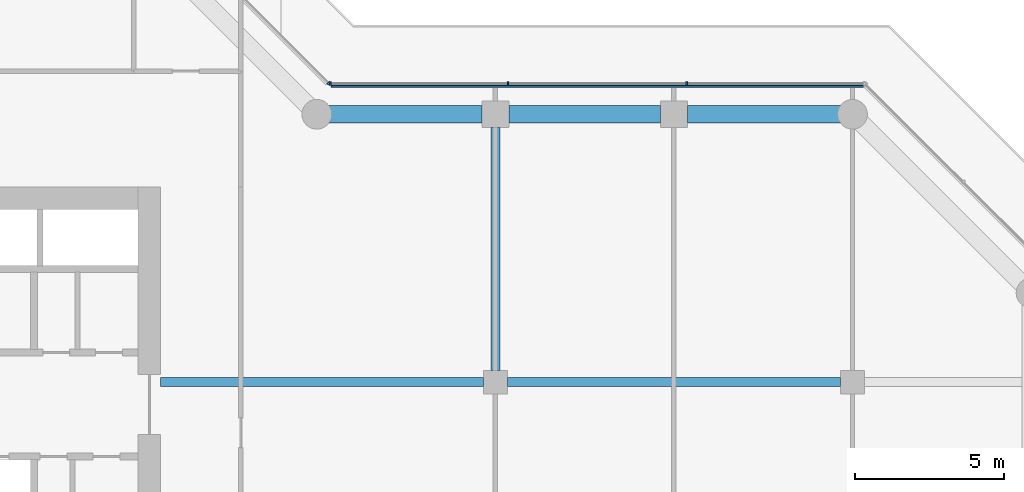
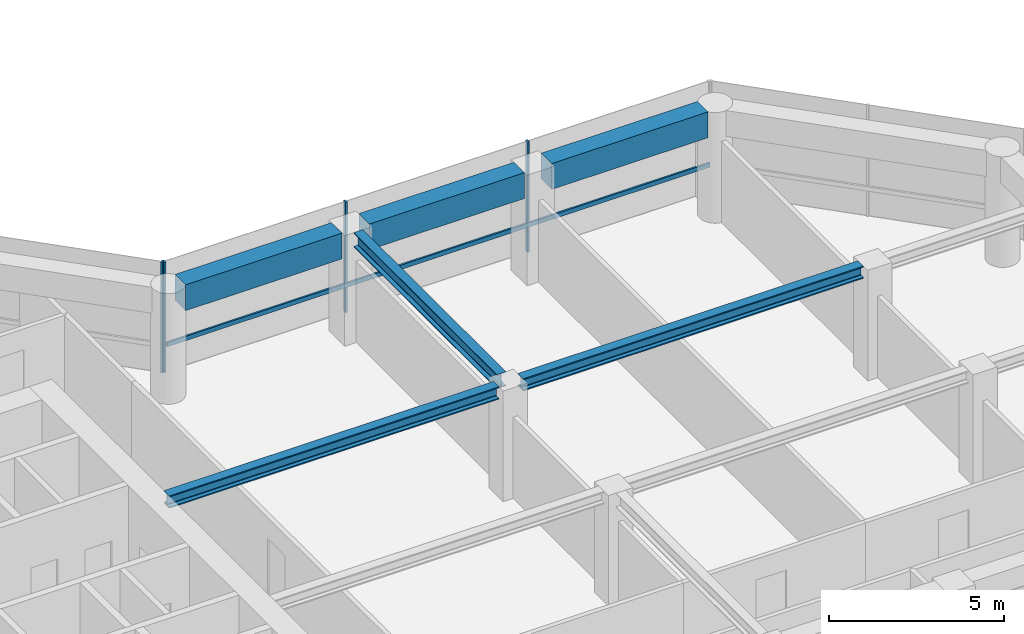
# One storey, part 8 of 23: 6 beams, 5 members, 2 elements without a shape of their own.
"""IFC4 building model written with IfcOpenShell, lengths in metres."""

from ifc_helpers import new_model, si_unit, direction, frame, origin, origin_2d, place, context, subcontext, project, spatial, rectangle, i_section, extrude, material, layer, layer_set, material_profile, profile_set, type_object, element, aggregate, save


model = new_model("IFC4")

# Units and contexts
model_context = context("Model", 3, precision=1e-05, world=origin(), true_north=direction((0.0, 1.0)))
body_context = subcontext(model_context, "Body", "Model", "MODEL_VIEW")
ifc_project = project(units=[si_unit("LENGTHUNIT", "METRE"), si_unit("AREAUNIT", "SQUARE_METRE"), si_unit("VOLUMEUNIT", "CUBIC_METRE"), si_unit("PLANEANGLEUNIT", "RADIAN"), si_unit("MASSUNIT", "GRAM", prefix="KILO")], contexts=[model_context])

# Site, building, storey
site_placement = place(None, origin())
site = spatial("IfcSite", under=ifc_project, at=site_placement, CompositionType="ELEMENT")
building_placement = place(site_placement, origin())
building = spatial("IfcBuilding", under=site, at=building_placement, Name="Welwitschia Terrace Campus", CompositionType="ELEMENT")
storey_placement = place(building_placement, frame((0.0, 0.0, 113.0)))
storey = spatial("IfcBuildingStorey", under=building, at=storey_placement, Name="L25", CompositionType="ELEMENT", Elevation=113.0)

# Beams
ifc_material_1 = material(Name="Steel S355", Category="steel")
ifc_material_profile_1 = material_profile(ifc_material_1, i_section(OverallWidth=0.306884765625, OverallDepth=0.431884765625, WebThickness=0.02099609375, FlangeThickness=0.0400390625, FilletRadius=0.027099609375, at=origin_2d()))
ifc_profile_set_1 = profile_set([ifc_material_profile_1], Name="Steel S355")
beam_type_1 = type_object("IfcBeamType", Name="Interior girder HE 400 M", PredefinedType="BEAM", material=ifc_profile_set_1)
beam_1_placement = place(storey_placement, frame((24.7509765625, 19.0, 3.634033203125), z_axis=(1.0, 0.0, 0.0), x_axis=(0.0, 1.0, 0.0)))
element("IfcBeam", 1, at=beam_1_placement, inside=storey, type_object=beam_type_1, Name="Girder GB3", PredefinedType="BEAM", context=body_context, shape_type="SweptSolid", body=[
    extrude(i_section(OverallWidth=0.306884765625, OverallDepth=0.431884765625, WebThickness=0.02099609375, FlangeThickness=0.0400390625, FilletRadius=0.027099609375, at=origin_2d()), origin(), (0.0, 0.0, 1.0), 10.8486328125),
])
beam_2_placement = place(storey_placement, frame((36.400390625, 19.0, 3.634033203125), z_axis=(1.0, 0.0, 0.0), x_axis=(0.0, 1.0, 0.0)))
element("IfcBeam", 2, at=beam_2_placement, inside=storey, type_object=beam_type_1, Name="Girder GB3", PredefinedType="BEAM", context=body_context, shape_type="SweptSolid", body=[
    extrude(i_section(OverallWidth=0.306884765625, OverallDepth=0.431884765625, WebThickness=0.02099609375, FlangeThickness=0.0400390625, FilletRadius=0.027099609375, at=origin_2d()), origin(), (0.0, 0.0, 1.0), 11.19921875),
])

# Curtain wall, members
ifc_material_2 = material(Name="Bronze anodised aluminium", Category="aluminium")
ifc_layer = layer(ifc_material_2, 0.1201171875)
ifc_layer_set = layer_set([ifc_layer], Name="Bronze anodised aluminium")
curtain_wall_type = type_object("IfcCurtainWallType", Name="Curtain wall CW2 tower 6000", PredefinedType="NOTDEFINED", material=ifc_layer_set)
curtain_wall_1_placement = place(storey_placement, origin())
curtain_wall_1 = element("IfcCurtainWall", 3, at=curtain_wall_1_placement, inside=storey, type_object=curtain_wall_type, Name="CW L25.9.0", PredefinedType="NOTDEFINED")
ifc_material_3 = material(Name="Bronze anodised aluminium", Category="aluminium")
ifc_material_profile_2 = material_profile(ifc_material_3, rectangle(XDim=0.1201171875, YDim=0.06005859375, at=origin_2d()))
ifc_profile_set_2 = profile_set([ifc_material_profile_2], Name="Bronze anodised aluminium")
member_type_1 = type_object("IfcMemberType", Name="Mullion 60x120", PredefinedType="MULLION", material=ifc_profile_set_2)
member_1_placement = place(storey_placement, frame((42.4267578125, 29.030029296875, 0.0), z_axis=(0.0, 0.0, 1.0), x_axis=(0.0, -1.0, 0.0)))
member_1 = element("IfcMember", 4, at=member_1_placement, type_object=member_type_1, Name="Mullion L25.9.0.1", PredefinedType="MULLION", context=body_context, shape_type="SweptSolid", body=[
    extrude(rectangle(XDim=0.1201171875, YDim=0.06005859375, at=origin_2d()), origin(), (0.0, 0.0, 1.0), 3.85009765625),
])
member_2_placement = place(storey_placement, frame((36.4267578125, 29.030029296875, 0.0), z_axis=(0.0, 0.0, 1.0), x_axis=(0.0, -1.0, 0.0)))
member_2 = element("IfcMember", 5, at=member_2_placement, type_object=member_type_1, Name="Mullion L25.9.0.2", PredefinedType="MULLION", context=body_context, shape_type="SweptSolid", body=[
    extrude(rectangle(XDim=0.1201171875, YDim=0.06005859375, at=origin_2d()), origin(), (0.0, 0.0, 1.0), 3.85009765625),
])
member_3_placement = place(storey_placement, frame((30.45654296875, 29.030029296875, 0.0), z_axis=(0.0, 0.0, 1.0), x_axis=(0.0, -1.0, 0.0)))
member_3 = element("IfcMember", 6, at=member_3_placement, type_object=member_type_1, Name="Mullion L25.9.0.3", PredefinedType="MULLION", context=body_context, shape_type="SweptSolid", body=[
    extrude(rectangle(XDim=0.1201171875, YDim=0.06005859375, at=origin_2d()), origin(), (0.0, 0.0, 1.0), 3.85009765625),
])

# Curtain wall, member
curtain_wall_2_placement = place(storey_placement, origin())
curtain_wall_2 = element("IfcCurtainWall", 7, at=curtain_wall_2_placement, inside=storey, type_object=curtain_wall_type, Name="CW L25.10.0", PredefinedType="NOTDEFINED")
member_4_placement = place(storey_placement, frame((30.405517578125, 29.05126953125, 0.0), z_axis=(0.0, 0.0, 1.0), x_axis=(-0.707106781187, -0.707106781187, 0.0)))
member_4 = element("IfcMember", 8, at=member_4_placement, type_object=member_type_1, Name="Mullion L25.10.0.0", PredefinedType="MULLION", context=body_context, shape_type="SweptSolid", body=[
    extrude(rectangle(XDim=0.1201171875, YDim=0.06005859375, at=origin_2d()), origin(), (0.0, 0.0, 1.0), 3.85009765625),
])
aggregate(curtain_wall_2, [member_4])

# Beams
ifc_material_4 = material(Name="Steel S355", Category="steel")
ifc_material_profile_3 = material_profile(ifc_material_4, i_section(OverallWidth=0.300048828125, OverallDepth=0.5, WebThickness=0.014404296875, FlangeThickness=0.028076171875, FilletRadius=0.027099609375, at=origin_2d()))
ifc_profile_set_3 = profile_set([ifc_material_profile_3], Name="Steel S355")
beam_type_2 = type_object("IfcBeamType", Name="Primary beam HE 500 B", PredefinedType="BEAM", material=ifc_profile_set_3)
beam_3_placement = place(storey_placement, frame((36.0, 27.549560546875, 3.60009765625), z_axis=(0.0, -1.0, 0.0), x_axis=(1.0, 0.0, 0.0)))
element("IfcBeam", 9, at=beam_3_placement, inside=storey, type_object=beam_type_2, Name="Primary beam PB3", PredefinedType="BEAM", context=body_context, shape_type="SweptSolid", body=[
    extrude(i_section(OverallWidth=0.300048828125, OverallDepth=0.5, WebThickness=0.014404296875, FlangeThickness=0.028076171875, FilletRadius=0.027099609375, at=origin_2d()), origin(), (0.0, 0.0, 1.0), 8.149169921875),
])
ifc_material_5 = material(Name="Concrete C60/75", Category="concrete")
ifc_material_profile_4 = material_profile(ifc_material_5, rectangle(XDim=0.60009765625, YDim=0.89990234375, at=origin_2d()))
ifc_profile_set_4 = profile_set([ifc_material_profile_4], Name="Concrete C60/75")
beam_type_3 = type_object("IfcBeamType", Name="Ring spandrel 600x900", PredefinedType="SPANDREL", material=ifc_profile_set_4)
beam_4_placement = place(storey_placement, frame((47.599609375, 28.0, 3.39990234375), z_axis=(-1.0, 0.0, 0.0), x_axis=(0.0, -1.0, 0.0)))
element("IfcBeam", 10, at=beam_4_placement, inside=storey, type_object=beam_type_3, Name="Spandrel SP2", PredefinedType="SPANDREL", context=body_context, shape_type="SweptSolid", body=[
    extrude(rectangle(XDim=0.60009765625, YDim=0.89990234375, at=origin_2d()), origin(), (0.0, 0.0, 1.0), 5.149169921875),
])
beam_5_placement = place(storey_placement, frame((41.549560546875, 28.0, 3.39990234375), z_axis=(-1.0, 0.0, 0.0), x_axis=(0.0, -1.0, 0.0)))
element("IfcBeam", 11, at=beam_5_placement, inside=storey, type_object=beam_type_3, Name="Spandrel SP2", PredefinedType="SPANDREL", context=body_context, shape_type="SweptSolid", body=[
    extrude(rectangle(XDim=0.60009765625, YDim=0.89990234375, at=origin_2d()), origin(), (0.0, 0.0, 1.0), 5.09912109375),
])
beam_6_placement = place(storey_placement, frame((35.549560546875, 28.0, 3.39990234375), z_axis=(-1.0, 0.0, 0.0), x_axis=(0.0, -1.0, 0.0)))
element("IfcBeam", 12, at=beam_6_placement, inside=storey, type_object=beam_type_3, Name="Spandrel SP2", PredefinedType="SPANDREL", context=body_context, shape_type="SweptSolid", body=[
    extrude(rectangle(XDim=0.60009765625, YDim=0.89990234375, at=origin_2d()), origin(), (0.0, 0.0, 1.0), 5.149169921875),
])

# Member
ifc_material_6 = material(Name="Bronze anodised aluminium", Category="aluminium")
ifc_material_profile_5 = material_profile(ifc_material_6, rectangle(XDim=0.06005859375, YDim=0.14990234375, at=origin_2d()))
ifc_profile_set_5 = profile_set([ifc_material_profile_5], Name="Bronze anodised aluminium")
member_type_2 = type_object("IfcMemberType", Name="Transom 60x150", PredefinedType="USERDEFINED", material=ifc_profile_set_5)
member_5_placement = place(storey_placement, frame((48.36669921875, 28.93994140625, 1.0), z_axis=(-1.0, 0.0, 0.0), x_axis=(0.0, -1.0, 0.0)))
member_5 = element("IfcMember", 13, at=member_5_placement, type_object=member_type_2, Name="Transom L25.9.0", ObjectType="TRANSOM", PredefinedType="USERDEFINED", context=body_context, shape_type="SweptSolid", body=[
    extrude(rectangle(XDim=0.06005859375, YDim=0.14990234375, at=origin_2d()), origin(), (0.0, 0.0, 1.0), 17.880126953125),
])

aggregate(curtain_wall_1, [member_1, member_2, member_3, member_5])

save(model, "model.ifc")
